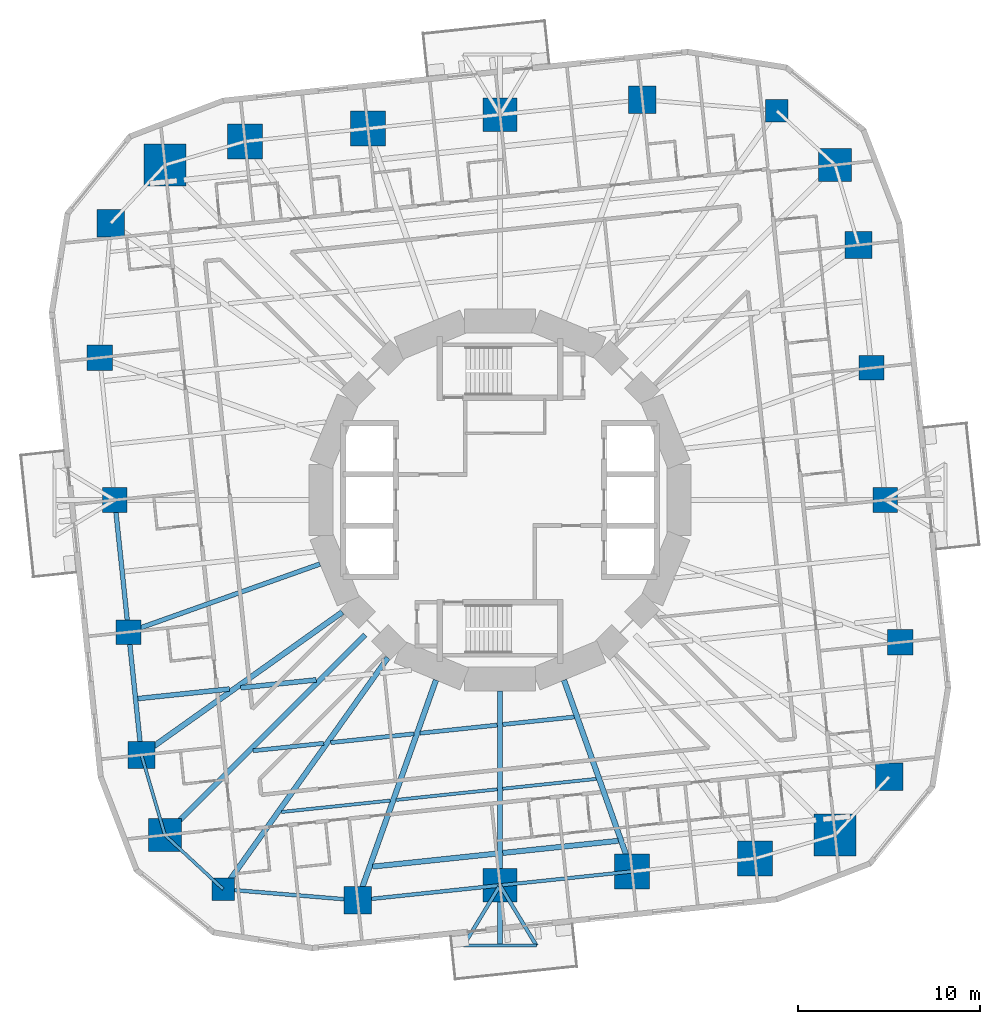
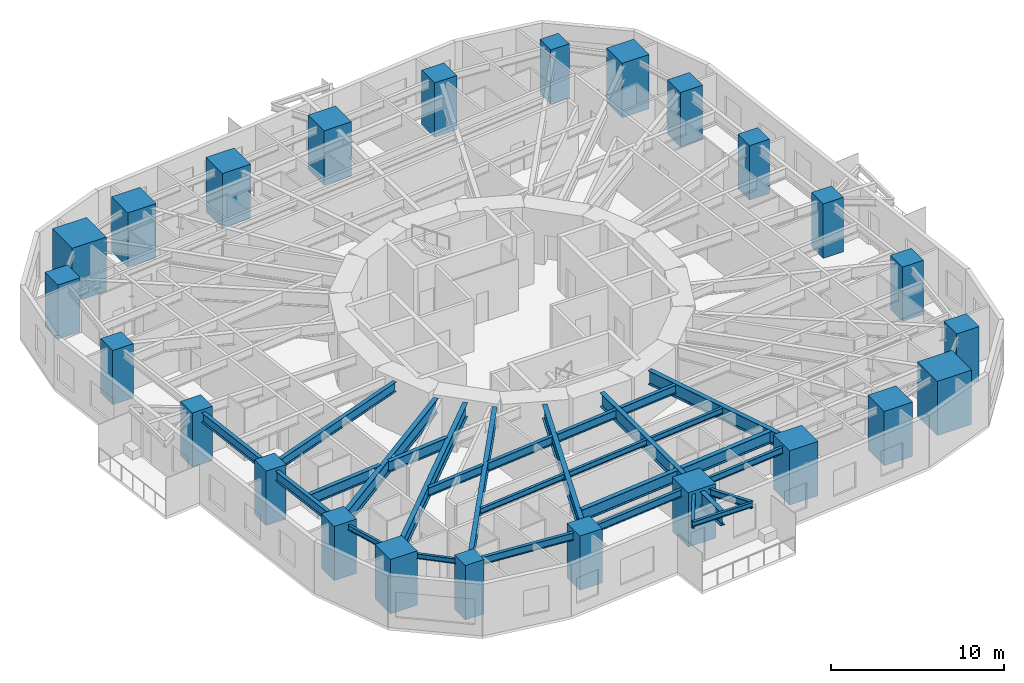
# One storey, part 1 of 13: 28 beams, 24 columns.
"""IFC4 building model written with IfcOpenShell, lengths in metres."""

from ifc_helpers import new_model, si_unit, direction, frame, origin, origin_2d, place, context, subcontext, project, spatial, rectangle, i_section, extrude, material, material_profile, profile_set, type_object, element, save


model = new_model("IFC4")

# Units and contexts
model_context = context("Model", 3, precision=1e-05, world=origin(), true_north=direction((0.0, 1.0)))
body_context = subcontext(model_context, "Body", "Model", "MODEL_VIEW")
ifc_project = project(units=[si_unit("LENGTHUNIT", "METRE"), si_unit("AREAUNIT", "SQUARE_METRE"), si_unit("VOLUMEUNIT", "CUBIC_METRE"), si_unit("PLANEANGLEUNIT", "RADIAN"), si_unit("MASSUNIT", "GRAM", prefix="KILO")], contexts=[model_context])

# Site, building, storey
site_placement = place(None, origin())
site = spatial("IfcSite", under=ifc_project, at=site_placement, CompositionType="ELEMENT")
building_placement = place(site_placement, origin())
building = spatial("IfcBuilding", under=site, at=building_placement, Name="Nakasero Lantern House", CompositionType="ELEMENT")
storey_placement = place(building_placement, frame((0.0, 0.0, 83.60009765625)))
storey = spatial("IfcBuildingStorey", under=building, at=storey_placement, Name="L20", CompositionType="ELEMENT", Elevation=83.60009765625)

# Columns
ifc_material_1 = material(Name="Concrete C50/60", Category="concrete")
ifc_material_profile_1 = material_profile(ifc_material_1, rectangle(XDim=1.800048828125, YDim=1.800048828125, at=origin_2d()), Name="RC 1800x1800")
ifc_profile_set_1 = profile_set([ifc_material_profile_1], Name="Concrete C50/60")
column_type_1 = type_object("IfcColumnType", Name="Mega column RC 1800x1800 C50/60", PredefinedType="COLUMN", material=ifc_profile_set_1)
for number, where, z_axis, x_axis, name in (
    (1, (18.359375, 18.359375, 0.0), (0.0, 0.0, 1.0), (1.0, 0.0, 0.0), "Column B2-C06 L20"),
    (2, (-18.359375, -18.359375, 0.0), (0.0, 0.0, 1.0), (1.0, 0.0, 0.0), "Column B2-C18 L20"),
):
    element("IfcColumn", number, at=place(storey_placement, frame(where, z_axis=z_axis, x_axis=x_axis)), inside=storey, type_object=column_type_1, Name=name, PredefinedType="COLUMN", context=body_context, shape_type="SweptSolid", body=[
        extrude(rectangle(XDim=1.800048828125, YDim=1.800048828125, at=origin_2d()), origin(), (0.0, 0.0, 1.0), 3.849853515625),
    ])
ifc_material_2 = material(Name="Concrete C50/60", Category="concrete")
ifc_material_profile_2 = material_profile(ifc_material_2, rectangle(XDim=2.300048828125, YDim=2.300048828125, at=origin_2d()), Name="RC 2300x2300")
ifc_profile_set_2 = profile_set([ifc_material_profile_2], Name="Concrete C50/60")
column_type_2 = type_object("IfcColumnType", Name="Mega column RC 2300x2300 C50/60", PredefinedType="COLUMN", material=ifc_profile_set_2)
for number, where, z_axis, x_axis, name in (
    (3, (-18.359375, 18.359375, 0.0), (0.0, 0.0, 1.0), (1.0, 0.0, 0.0), "Column B2-C12 L20"),
    (4, (18.359375, -18.359375, 0.0), (0.0, 0.0, 1.0), (1.0, 0.0, 0.0), "Column B2-C24 L20"),
):
    element("IfcColumn", number, at=place(storey_placement, frame(where, z_axis=z_axis, x_axis=x_axis)), inside=storey, type_object=column_type_2, Name=name, PredefinedType="COLUMN", context=body_context, shape_type="SweptSolid", body=[
        extrude(rectangle(XDim=2.300048828125, YDim=2.300048828125, at=origin_2d()), origin(), (0.0, 0.0, 1.0), 3.849853515625),
    ])
ifc_material_3 = material(Name="Concrete C50/60", Category="concrete")
ifc_material_profile_3 = material_profile(ifc_material_3, rectangle(XDim=1.25, YDim=1.25, at=origin_2d()), Name="RC 1250x1250")
ifc_profile_set_3 = profile_set([ifc_material_profile_3], Name="Concrete C50/60")
column_type_3 = type_object("IfcColumnType", Name="Ring column RC 1250x1250 C50/60", PredefinedType="COLUMN", material=ifc_profile_set_3)
for number, where, z_axis, x_axis, name in (
    (5, (15.16650390625, 21.327880859375, 0.0), (0.0, 0.0, 1.0), (1.0, 0.0, 0.0), "Column B2-C07 L20"),
    (6, (-15.16650390625, -21.327880859375, 0.0), (0.0, 0.0, 1.0), (1.0, 0.0, 0.0), "Column B2-C19 L20"),
):
    element("IfcColumn", number, at=place(storey_placement, frame(where, z_axis=z_axis, x_axis=x_axis)), inside=storey, type_object=column_type_3, Name=name, PredefinedType="COLUMN", context=body_context, shape_type="SweptSolid", body=[
        extrude(rectangle(XDim=1.25, YDim=1.25, at=origin_2d()), origin(), (0.0, 0.0, 1.0), 3.849853515625),
    ])
ifc_material_4 = material(Name="Concrete C50/60", Category="concrete")
ifc_material_profile_4 = material_profile(ifc_material_4, rectangle(XDim=1.35009765625, YDim=1.35009765625, at=origin_2d()), Name="RC 1350x1350")
ifc_profile_set_4 = profile_set([ifc_material_profile_4], Name="Concrete C50/60")
column_type_4 = type_object("IfcColumnType", Name="Ring column RC 1350x1350 C50/60", PredefinedType="COLUMN", material=ifc_profile_set_4)
for number, where, z_axis, x_axis, name in (
    (7, (21.11572265625, 0.0, 0.0), (0.0, 0.0, 1.0), (1.0, 0.0, 0.0), "Column B2-C03 L20"),
    (8, (20.35498046875, 7.2373046875, 0.0), (0.0, 0.0, 1.0), (1.0, 0.0, 0.0), "Column B2-C04 L20"),
    (9, (-21.11572265625, 0.0, 0.0), (0.0, 0.0, 1.0), (1.0, 0.0, 0.0), "Column B2-C15 L20"),
    (10, (-20.35498046875, -7.2373046875, 0.0), (0.0, 0.0, 1.0), (1.0, 0.0, 0.0), "Column B2-C16 L20"),
):
    element("IfcColumn", number, at=place(storey_placement, frame(where, z_axis=z_axis, x_axis=x_axis)), inside=storey, type_object=column_type_4, Name=name, PredefinedType="COLUMN", context=body_context, shape_type="SweptSolid", body=[
        extrude(rectangle(XDim=1.35009765625, YDim=1.35009765625, at=origin_2d()), origin(), (0.0, 0.0, 1.0), 3.849853515625),
    ])
ifc_material_5 = material(Name="Concrete C50/60", Category="concrete")
ifc_material_profile_5 = material_profile(ifc_material_5, rectangle(XDim=1.39990234375, YDim=1.39990234375, at=origin_2d()), Name="RC 1400x1400")
ifc_profile_set_5 = profile_set([ifc_material_profile_5], Name="Concrete C50/60")
column_type_5 = type_object("IfcColumnType", Name="Ring column RC 1400x1400 C50/60", PredefinedType="COLUMN", material=ifc_profile_set_5)
for number, where, z_axis, x_axis, name in (
    (11, (21.935302734375, -7.79931640625, 0.0), (0.0, 0.0, 1.0), (1.0, 0.0, 0.0), "Column B2-C02 L20"),
    (12, (-21.935302734375, 7.79931640625, 0.0), (0.0, 0.0, 1.0), (1.0, 0.0, 0.0), "Column B2-C14 L20"),
):
    element("IfcColumn", number, at=place(storey_placement, frame(where, z_axis=z_axis, x_axis=x_axis)), inside=storey, type_object=column_type_5, Name=name, PredefinedType="COLUMN", context=body_context, shape_type="SweptSolid", body=[
        extrude(rectangle(XDim=1.39990234375, YDim=1.39990234375, at=origin_2d()), origin(), (0.0, 0.0, 1.0), 3.849853515625),
    ])
ifc_material_6 = material(Name="Concrete C50/60", Category="concrete")
ifc_material_profile_6 = material_profile(ifc_material_6, rectangle(XDim=1.5, YDim=1.5, at=origin_2d()), Name="RC 1500x1500")
ifc_profile_set_6 = profile_set([ifc_material_profile_6], Name="Concrete C50/60")
column_type_6 = type_object("IfcColumnType", Name="Ring column RC 1500x1500 C50/60", PredefinedType="COLUMN", material=ifc_profile_set_6)
for number, where, z_axis, x_axis, name in (
    (13, (21.327880859375, -15.16650390625, 0.0), (0.0, 0.0, 1.0), (1.0, 0.0, 0.0), "Column B2-C01 L20"),
    (14, (19.647216796875, 13.971435546875, 0.0), (0.0, 0.0, 1.0), (1.0, 0.0, 0.0), "Column B2-C05 L20"),
    (15, (7.79931640625, 21.935302734375, 0.0), (0.0, 0.0, 1.0), (1.0, 0.0, 0.0), "Column B2-C08 L20"),
    (16, (-21.327880859375, 15.16650390625, 0.0), (0.0, 0.0, 1.0), (1.0, 0.0, 0.0), "Column B2-C13 L20"),
    (17, (-19.647216796875, -13.971435546875, 0.0), (0.0, 0.0, 1.0), (1.0, 0.0, 0.0), "Column B2-C17 L20"),
    (18, (-7.79931640625, -21.935302734375, 0.0), (0.0, 0.0, 1.0), (1.0, 0.0, 0.0), "Column B2-C20 L20"),
):
    element("IfcColumn", number, at=place(storey_placement, frame(where, z_axis=z_axis, x_axis=x_axis)), inside=storey, type_object=column_type_6, Name=name, PredefinedType="COLUMN", context=body_context, shape_type="SweptSolid", body=[
        extrude(rectangle(XDim=1.5, YDim=1.5, at=origin_2d()), origin(), (0.0, 0.0, 1.0), 3.849853515625),
    ])
ifc_material_7 = material(Name="Concrete C50/60", Category="concrete")
ifc_material_profile_7 = material_profile(ifc_material_7, rectangle(XDim=1.85009765625, YDim=1.85009765625, at=origin_2d()), Name="RC 1850x1850")
ifc_profile_set_7 = profile_set([ifc_material_profile_7], Name="Concrete C50/60")
column_type_7 = type_object("IfcColumnType", Name="Ring column RC 1850x1850 C50/60", PredefinedType="COLUMN", material=ifc_profile_set_7)
for number, where, z_axis, x_axis, name in (
    (19, (0.0, 21.11572265625, 0.0), (0.0, 0.0, 1.0), (1.0, 0.0, 0.0), "Column B2-C09 L20"),
    (20, (0.0, -21.11572265625, 0.0), (0.0, 0.0, 1.0), (1.0, 0.0, 0.0), "Column B2-C21 L20"),
):
    element("IfcColumn", number, at=place(storey_placement, frame(where, z_axis=z_axis, x_axis=x_axis)), inside=storey, type_object=column_type_7, Name=name, PredefinedType="COLUMN", context=body_context, shape_type="SweptSolid", body=[
        extrude(rectangle(XDim=1.85009765625, YDim=1.85009765625, at=origin_2d()), origin(), (0.0, 0.0, 1.0), 3.849853515625),
    ])
ifc_material_8 = material(Name="Concrete C50/60", Category="concrete")
ifc_material_profile_8 = material_profile(ifc_material_8, rectangle(XDim=1.89990234375, YDim=1.89990234375, at=origin_2d()), Name="RC 1900x1900")
ifc_profile_set_8 = profile_set([ifc_material_profile_8], Name="Concrete C50/60")
column_type_8 = type_object("IfcColumnType", Name="Ring column RC 1900x1900 C50/60", PredefinedType="COLUMN", material=ifc_profile_set_8)
for number, where, z_axis, x_axis, name in (
    (21, (-7.2373046875, 20.35498046875, 0.0), (0.0, 0.0, 1.0), (1.0, 0.0, 0.0), "Column B2-C10 L20"),
    (22, (-13.971435546875, 19.647216796875, 0.0), (0.0, 0.0, 1.0), (1.0, 0.0, 0.0), "Column B2-C11 L20"),
    (23, (7.2373046875, -20.35498046875, 0.0), (0.0, 0.0, 1.0), (1.0, 0.0, 0.0), "Column B2-C22 L20"),
    (24, (13.971435546875, -19.647216796875, 0.0), (0.0, 0.0, 1.0), (1.0, 0.0, 0.0), "Column B2-C23 L20"),
):
    element("IfcColumn", number, at=place(storey_placement, frame(where, z_axis=z_axis, x_axis=x_axis)), inside=storey, type_object=column_type_8, Name=name, PredefinedType="COLUMN", context=body_context, shape_type="SweptSolid", body=[
        extrude(rectangle(XDim=1.89990234375, YDim=1.89990234375, at=origin_2d()), origin(), (0.0, 0.0, 1.0), 3.849853515625),
    ])

# Beams
ifc_material_9 = material(Name="Steel S355", Category="steel")
ifc_material_profile_9 = material_profile(ifc_material_9, i_section(OverallWidth=0.199462890625, OverallDepth=0.491943359375, WebThickness=0.01806640625, FlangeThickness=0.031982421875, FilletRadius=0.01025390625, at=origin_2d()), Name="UB 457x191x161")
ifc_profile_set_9 = profile_set([ifc_material_profile_9], Name="Steel S355")
beam_type_1 = type_object("IfcBeamType", Name="Balcony splay beam UB 457x191x161", PredefinedType="BEAM", material=ifc_profile_set_9)
for number, where, z_axis, x_axis, name in (
    (25, (0.0, -21.11572265625, 3.40380859375), (0.518296107317, -0.855201230787, 0.0), (0.855201230787, 0.518296107317, 0.0), "Balcony splay beam L21 B2-C21A"),
    (26, (0.0, -21.11572265625, 3.40380859375), (-0.518296107317, -0.855201230787, 0.0), (0.855201230787, -0.518296107317, 0.0), "Balcony splay beam L21 B2-C21B"),
):
    element("IfcBeam", number, at=place(storey_placement, frame(where, z_axis=z_axis, x_axis=x_axis)), inside=storey, type_object=beam_type_1, Name=name, PredefinedType="BEAM", context=body_context, shape_type="SweptSolid", body=[
        extrude(i_section(OverallWidth=0.199462890625, OverallDepth=0.491943359375, WebThickness=0.01806640625, FlangeThickness=0.031982421875, FilletRadius=0.01025390625, at=origin_2d()), origin(), (0.0, 0.0, 1.0), 3.85888671875),
    ])
ifc_material_10 = material(Name="Steel S355", Category="steel")
ifc_material_profile_10 = material_profile(ifc_material_10, i_section(OverallWidth=0.17138671875, OverallDepth=0.35498046875, WebThickness=0.00732421875, FlangeThickness=0.011474609375, FilletRadius=0.01025390625, at=origin_2d()), Name="UB 356x171x51")
ifc_profile_set_10 = profile_set([ifc_material_profile_10], Name="Steel S355")
beam_type_2 = type_object("IfcBeamType", Name="Balcony tie beam UB 356x171x51", PredefinedType="BEAM", material=ifc_profile_set_10)
beam_1_placement = place(storey_placement, frame((2.0, -24.415771484375, 3.472412109375), z_axis=(-1.0, 0.0, 0.0), x_axis=(0.0, -1.0, 0.0)))
element("IfcBeam", 27, at=beam_1_placement, inside=storey, type_object=beam_type_2, Name="Balcony tie beam L21 B2-C21", PredefinedType="BEAM", context=body_context, shape_type="SweptSolid", body=[
    extrude(i_section(OverallWidth=0.17138671875, OverallDepth=0.35498046875, WebThickness=0.00732421875, FlangeThickness=0.011474609375, FilletRadius=0.01025390625, at=origin_2d()), origin(), (0.0, 0.0, 1.0), 4.0),
])
ifc_material_11 = material(Name="Steel S355", Category="steel")
ifc_material_profile_11 = material_profile(ifc_material_11, i_section(OverallWidth=0.177978515625, OverallDepth=0.406494140625, WebThickness=0.0078125, FlangeThickness=0.0126953125, FilletRadius=0.01025390625, at=origin_2d()), Name="UB 406x178x60")
ifc_profile_set_11 = profile_set([ifc_material_profile_11], Name="Steel S355")
beam_type_3 = type_object("IfcBeamType", Name="Infill beam UB 406x178x60", PredefinedType="JOIST", material=ifc_profile_set_11)
beam_2_placement = place(storey_placement, frame((-11.9775390625, -17.095703125, 3.44677734375), z_axis=(0.994521729164, 0.104530044579, 0.0), x_axis=(-0.104530044579, 0.994521729164, 0.0)))
element("IfcBeam", 28, at=beam_2_placement, inside=storey, type_object=beam_type_3, Name="Infill beam L21 03.1", PredefinedType="JOIST", context=body_context, shape_type="SweptSolid", body=[
    extrude(i_section(OverallWidth=0.177978515625, OverallDepth=0.406494140625, WebThickness=0.0078125, FlangeThickness=0.0126953125, FilletRadius=0.01025390625, at=origin_2d()), origin(), (0.0, 0.0, 1.0), 5.99560546875),
])
beam_3_placement = place(storey_placement, frame((-5.68408203125, -16.43408203125, 3.44677734375), z_axis=(0.994524188375, 0.104506644464, 0.0), x_axis=(-0.104506644464, 0.994524188375, 0.0)))
element("IfcBeam", 29, at=beam_3_placement, inside=storey, type_object=beam_type_3, Name="Infill beam L21 03.2", PredefinedType="JOIST", context=body_context, shape_type="SweptSolid", body=[
    extrude(i_section(OverallWidth=0.177978515625, OverallDepth=0.406494140625, WebThickness=0.0078125, FlangeThickness=0.0126953125, FilletRadius=0.01025390625, at=origin_2d()), origin(), (0.0, 0.0, 1.0), 5.564697265625),
])
beam_4_placement = place(storey_placement, frame((0.14990234375, -15.821044921875, 3.44677734375), z_axis=(0.994522574566, 0.104522000929, 0.0), x_axis=(-0.104522000929, 0.994522574566, 0.0)))
element("IfcBeam", 30, at=beam_4_placement, inside=storey, type_object=beam_type_3, Name="Infill beam L21 03.3", PredefinedType="JOIST", context=body_context, shape_type="SweptSolid", body=[
    extrude(i_section(OverallWidth=0.177978515625, OverallDepth=0.406494140625, WebThickness=0.0078125, FlangeThickness=0.0126953125, FilletRadius=0.01025390625, at=origin_2d()), origin(), (0.0, 0.0, 1.0), 5.15283203125),
])
ifc_material_12 = material(Name="Steel S355", Category="steel")
ifc_material_profile_12 = material_profile(ifc_material_12, i_section(OverallWidth=0.22900390625, OverallDepth=0.6123046875, WebThickness=0.011962890625, FlangeThickness=0.01953125, FilletRadius=0.0126953125, at=origin_2d()), Name="UB 610x229x125")
ifc_profile_set_12 = profile_set([ifc_material_profile_12], Name="Steel S355")
beam_type_4 = type_object("IfcBeamType", Name="Infill beam UB 610x229x125", PredefinedType="JOIST", material=ifc_profile_set_12)
beam_5_placement = place(storey_placement, frame((-13.527099609375, -13.7392578125, 3.34375), z_axis=(0.99451886442, 0.10455729679, 0.0), x_axis=(-0.10455729679, 0.99451886442, 0.0)))
element("IfcBeam", 31, at=beam_5_placement, inside=storey, type_object=beam_type_4, Name="Infill beam L21 04.1", PredefinedType="JOIST", context=body_context, shape_type="SweptSolid", body=[
    extrude(i_section(OverallWidth=0.22900390625, OverallDepth=0.6123046875, WebThickness=0.011962890625, FlangeThickness=0.01953125, FilletRadius=0.0126953125, at=origin_2d()), origin(), (0.0, 0.0, 1.0), 3.8876953125),
])
beam_6_placement = place(storey_placement, frame((-9.272705078125, -13.2919921875, 3.34375), z_axis=(0.994522952874, 0.104518401282, 0.0), x_axis=(-0.104518401282, 0.994522952874, 0.0)))
element("IfcBeam", 32, at=beam_6_placement, inside=storey, type_object=beam_type_4, Name="Infill beam L21 04.2", PredefinedType="JOIST", context=body_context, shape_type="SweptSolid", body=[
    extrude(i_section(OverallWidth=0.22900390625, OverallDepth=0.6123046875, WebThickness=0.011962890625, FlangeThickness=0.01953125, FilletRadius=0.0126953125, at=origin_2d()), origin(), (0.0, 0.0, 1.0), 4.5830078125),
])
beam_7_placement = place(storey_placement, frame((-4.38427734375, -12.7783203125, 3.34375), z_axis=(0.994521465317, 0.104532554847, 0.0), x_axis=(-0.104532554847, 0.994521465317, 0.0)))
element("IfcBeam", 33, at=beam_7_placement, inside=storey, type_object=beam_type_4, Name="Infill beam L21 04.3", PredefinedType="JOIST", context=body_context, shape_type="SweptSolid", body=[
    extrude(i_section(OverallWidth=0.22900390625, OverallDepth=0.6123046875, WebThickness=0.011962890625, FlangeThickness=0.01953125, FilletRadius=0.0126953125, at=origin_2d()), origin(), (0.0, 0.0, 1.0), 4.2578125),
])
beam_8_placement = place(storey_placement, frame((0.14990234375, -12.3017578125, 3.34375), z_axis=(0.994521399206, 0.104533183829, 0.0), x_axis=(-0.104533183829, 0.994521399206, 0.0)))
element("IfcBeam", 34, at=beam_8_placement, inside=storey, type_object=beam_type_4, Name="Infill beam L21 04.4", PredefinedType="JOIST", context=body_context, shape_type="SweptSolid", body=[
    extrude(i_section(OverallWidth=0.22900390625, OverallDepth=0.6123046875, WebThickness=0.011962890625, FlangeThickness=0.01953125, FilletRadius=0.0126953125, at=origin_2d()), origin(), (0.0, 0.0, 1.0), 3.93994140625),
])
ifc_material_13 = material(Name="Steel S355", Category="steel")
ifc_material_profile_13 = material_profile(ifc_material_13, i_section(OverallWidth=0.2666015625, OverallDepth=0.76220703125, WebThickness=0.014404296875, FlangeThickness=0.021484375, FilletRadius=0.0166015625, at=origin_2d()), Name="UB 762x267x173")
ifc_profile_set_13 = profile_set([ifc_material_profile_13], Name="Steel S355")
beam_type_5 = type_object("IfcBeamType", Name="Infill beam UB 762x267x173", PredefinedType="JOIST", material=ifc_profile_set_13)
beam_9_placement = place(storey_placement, frame((-19.843017578125, -10.8837890625, 3.268798828125), z_axis=(0.994522938326, 0.104518539716, 0.0), x_axis=(-0.104518539716, 0.994522938326, 0.0)))
element("IfcBeam", 35, at=beam_9_placement, inside=storey, type_object=beam_type_5, Name="Infill beam L21 05.1", PredefinedType="JOIST", context=body_context, shape_type="SweptSolid", body=[
    extrude(i_section(OverallWidth=0.2666015625, OverallDepth=0.76220703125, WebThickness=0.014404296875, FlangeThickness=0.021484375, FilletRadius=0.0166015625, at=origin_2d()), origin(), (0.0, 0.0, 1.0), 5.04541015625),
])
beam_10_placement = place(storey_placement, frame((-14.211669921875, -10.2919921875, 3.268798828125), z_axis=(0.994519573184, 0.104550555012, 0.0), x_axis=(-0.104550555012, 0.994519573184, 0.0)))
element("IfcBeam", 36, at=beam_10_placement, inside=storey, type_object=beam_type_5, Name="Infill beam L21 05.2", PredefinedType="JOIST", context=body_context, shape_type="SweptSolid", body=[
    extrude(i_section(OverallWidth=0.2666015625, OverallDepth=0.76220703125, WebThickness=0.014404296875, FlangeThickness=0.021484375, FilletRadius=0.0166015625, at=origin_2d()), origin(), (0.0, 0.0, 1.0), 4.166015625),
])
ifc_material_14 = material(Name="Steel S355", Category="steel")
ifc_material_profile_14 = material_profile(ifc_material_14, i_section(OverallWidth=0.29248046875, OverallDepth=0.8408203125, WebThickness=0.0146484375, FlangeThickness=0.02685546875, FilletRadius=0.017822265625, at=origin_2d()), Name="UB 838x292x194")
ifc_profile_set_14 = profile_set([ifc_material_profile_14], Name="Steel S355")
beam_type_6 = type_object("IfcBeamType", Name="Infill beam UB 838x292x194", PredefinedType="JOIST", material=ifc_profile_set_14)
beam_11_placement = place(storey_placement, frame((-6.98388671875, -20.090087890625, 3.2294921875), z_axis=(0.994522182542, 0.10452573096, 0.0), x_axis=(-0.10452573096, 0.994522182542, 0.0)))
element("IfcBeam", 37, at=beam_11_placement, inside=storey, type_object=beam_type_6, Name="Infill beam L21 02.1", PredefinedType="JOIST", context=body_context, shape_type="SweptSolid", body=[
    extrude(i_section(OverallWidth=0.29248046875, OverallDepth=0.8408203125, WebThickness=0.0146484375, FlangeThickness=0.02685546875, FilletRadius=0.017822265625, at=origin_2d()), origin(), (0.0, 0.0, 1.0), 6.87158203125),
])
beam_12_placement = place(storey_placement, frame((0.14990234375, -19.34033203125, 3.2294921875), z_axis=(0.994519733917, 0.104549026056, 0.0), x_axis=(-0.104549026056, 0.994519733917, 0.0)))
element("IfcBeam", 38, at=beam_12_placement, inside=storey, type_object=beam_type_6, Name="Infill beam L21 02.2", PredefinedType="JOIST", context=body_context, shape_type="SweptSolid", body=[
    extrude(i_section(OverallWidth=0.29248046875, OverallDepth=0.8408203125, WebThickness=0.0146484375, FlangeThickness=0.02685546875, FilletRadius=0.017822265625, at=origin_2d()), origin(), (0.0, 0.0, 1.0), 6.36572265625),
])
ifc_material_15 = material(Name="Steel S355", Category="steel")
ifc_material_profile_15 = material_profile(ifc_material_15, i_section(OverallWidth=0.300048828125, OverallDepth=0.97998046875, WebThickness=0.0166015625, FlangeThickness=0.02587890625, FilletRadius=0.030029296875, at=origin_2d()), Name="UB 1016x305x249")
ifc_profile_set_15 = profile_set([ifc_material_profile_15], Name="Steel S355")
beam_type_7 = type_object("IfcBeamType", Name="Primary beam UB 1016x305x249, span 12 to 15 m", PredefinedType="BEAM", material=ifc_profile_set_15)
beam_13_placement = place(storey_placement, frame((-7.79931640625, -21.935302734375, 3.159912109375), z_axis=(0.335017564047, 0.942211882636, 0.0), x_axis=(-0.942211882636, 0.335017564047, 0.0)))
element("IfcBeam", 39, at=beam_13_placement, inside=storey, type_object=beam_type_7, Name="Primary beam L21 B2-C20", PredefinedType="BEAM", context=body_context, shape_type="SweptSolid", body=[
    extrude(i_section(OverallWidth=0.300048828125, OverallDepth=0.97998046875, WebThickness=0.0166015625, FlangeThickness=0.02587890625, FilletRadius=0.030029296875, at=origin_2d()), origin(), (0.0, 0.0, 1.0), 12.80908203125),
])
ifc_material_16 = material(Name="Steel S355", Category="steel")
ifc_material_profile_16 = material_profile(ifc_material_16, i_section(OverallWidth=0.300048828125, OverallDepth=0.97998046875, WebThickness=0.0166015625, FlangeThickness=0.02587890625, FilletRadius=0.030029296875, at=origin_2d()), Name="UB 1016x305x249")
ifc_profile_set_16 = profile_set([ifc_material_profile_16], Name="Steel S355")
beam_type_8 = type_object("IfcBeamType", Name="Primary beam UB 1016x305x249, span 9 to 12 m", PredefinedType="BEAM", material=ifc_profile_set_16)
beam_14_placement = place(storey_placement, frame((7.2373046875, -20.35498046875, 3.159912109375), z_axis=(-0.335009234979, 0.942214844119, 0.0), x_axis=(-0.942214844119, -0.335009234979, 0.0)))
element("IfcBeam", 40, at=beam_14_placement, inside=storey, type_object=beam_type_8, Name="Primary beam L21 B2-C22", PredefinedType="BEAM", context=body_context, shape_type="SweptSolid", body=[
    extrude(i_section(OverallWidth=0.300048828125, OverallDepth=0.97998046875, WebThickness=0.0166015625, FlangeThickness=0.02587890625, FilletRadius=0.030029296875, at=origin_2d()), origin(), (0.0, 0.0, 1.0), 11.1318359375),
])
ifc_material_17 = material(Name="Steel S355", Category="steel")
ifc_material_profile_17 = material_profile(ifc_material_17, i_section(OverallWidth=0.300048828125, OverallDepth=0.989990234375, WebThickness=0.0166015625, FlangeThickness=0.031005859375, FilletRadius=0.030029296875, at=origin_2d()), Name="UB 1016x305x272")
ifc_profile_set_17 = profile_set([ifc_material_profile_17], Name="Steel S355")
beam_type_9 = type_object("IfcBeamType", Name="Primary beam UB 1016x305x272, span over 15 m", PredefinedType="BEAM", material=ifc_profile_set_17)
beam_15_placement = place(storey_placement, frame((-18.359375, -18.359375, 3.15478515625), z_axis=(0.707106781187, 0.707106781187, 0.0), x_axis=(-0.707106781187, 0.707106781187, 0.0)))
element("IfcBeam", 41, at=beam_15_placement, inside=storey, type_object=beam_type_9, Name="Primary beam L21 B2-C18", PredefinedType="BEAM", context=body_context, shape_type="SweptSolid", body=[
    extrude(i_section(OverallWidth=0.300048828125, OverallDepth=0.989990234375, WebThickness=0.0166015625, FlangeThickness=0.031005859375, FilletRadius=0.030029296875, at=origin_2d()), origin(), (0.0, 0.0, 1.0), 15.50634765625),
])
ifc_material_18 = material(Name="Steel S355", Category="steel")
ifc_material_profile_18 = material_profile(ifc_material_18, i_section(OverallWidth=0.300048828125, OverallDepth=1.0, WebThickness=0.01904296875, FlangeThickness=0.035888671875, FilletRadius=0.030029296875, at=origin_2d()), Name="UB 1016x305x314")
ifc_profile_set_18 = profile_set([ifc_material_profile_18], Name="Steel S355")
beam_type_10 = type_object("IfcBeamType", Name="Primary beam UB 1016x305x314, span 9 to 12 m", PredefinedType="BEAM", material=ifc_profile_set_18)
beam_16_placement = place(storey_placement, frame((0.0, -24.415771484375, 3.14990234375), z_axis=(0.0, 1.0, 0.0), x_axis=(-1.0, 0.0, 0.0)))
element("IfcBeam", 42, at=beam_16_placement, inside=storey, type_object=beam_type_10, Name="Primary beam L21 B2-C21", PredefinedType="BEAM", context=body_context, shape_type="SweptSolid", body=[
    extrude(i_section(OverallWidth=0.300048828125, OverallDepth=1.0, WebThickness=0.01904296875, FlangeThickness=0.035888671875, FilletRadius=0.030029296875, at=origin_2d()), origin(), (0.0, 0.0, 1.0), 13.9580078125),
])
ifc_material_19 = material(Name="Steel S355", Category="steel")
ifc_material_profile_19 = material_profile(ifc_material_19, i_section(OverallWidth=0.302978515625, OverallDepth=1.015869140625, WebThickness=0.0244140625, FlangeThickness=0.0439453125, FilletRadius=0.030029296875, at=origin_2d()), Name="UB 1016x305x393")
ifc_profile_set_19 = profile_set([ifc_material_profile_19], Name="Steel S355")
beam_type_11 = type_object("IfcBeamType", Name="Primary beam UB 1016x305x393, span 12 to 15 m", PredefinedType="BEAM", material=ifc_profile_set_19)
beam_17_placement = place(storey_placement, frame((-19.647216796875, -13.971435546875, 3.141845703125), z_axis=(0.814948492976, 0.579533393168, 0.0), x_axis=(-0.579533393168, 0.814948492976, 0.0)))
element("IfcBeam", 43, at=beam_17_placement, inside=storey, type_object=beam_type_11, Name="Primary beam L21 B2-C17", PredefinedType="BEAM", context=body_context, shape_type="SweptSolid", body=[
    extrude(i_section(OverallWidth=0.302978515625, OverallDepth=1.015869140625, WebThickness=0.0244140625, FlangeThickness=0.0439453125, FilletRadius=0.030029296875, at=origin_2d()), origin(), (0.0, 0.0, 1.0), 13.502685546875),
])
ifc_material_20 = material(Name="Steel S355", Category="steel")
ifc_material_profile_20 = material_profile(ifc_material_20, i_section(OverallWidth=0.253662109375, OverallDepth=0.68359375, WebThickness=0.012451171875, FlangeThickness=0.01904296875, FilletRadius=0.01513671875, at=origin_2d()), Name="UB 686x254x140")
ifc_profile_set_20 = profile_set([ifc_material_profile_20], Name="Steel S355")
beam_type_12 = type_object("IfcBeamType", Name="Primary beam UB 686x254x140, span 9 to 12 m", PredefinedType="BEAM", material=ifc_profile_set_20)
beam_18_placement = place(storey_placement, frame((-20.35498046875, -7.2373046875, 3.30810546875), z_axis=(0.942214844119, 0.335009234979, 0.0), x_axis=(-0.335009234979, 0.942214844119, 0.0)))
element("IfcBeam", 44, at=beam_18_placement, inside=storey, type_object=beam_type_12, Name="Primary beam L21 B2-C16", PredefinedType="BEAM", context=body_context, shape_type="SweptSolid", body=[
    extrude(i_section(OverallWidth=0.253662109375, OverallDepth=0.68359375, WebThickness=0.012451171875, FlangeThickness=0.01904296875, FilletRadius=0.01513671875, at=origin_2d()), origin(), (0.0, 0.0, 1.0), 11.1318359375),
])
ifc_material_21 = material(Name="Steel S355", Category="steel")
ifc_material_profile_21 = material_profile(ifc_material_21, i_section(OverallWidth=0.29248046875, OverallDepth=0.8408203125, WebThickness=0.0146484375, FlangeThickness=0.02685546875, FilletRadius=0.017822265625, at=origin_2d()), Name="UB 838x292x194")
ifc_profile_set_21 = profile_set([ifc_material_profile_21], Name="Steel S355")
beam_type_13 = type_object("IfcBeamType", Name="Primary beam UB 838x292x194, span over 15 m", PredefinedType="BEAM", material=ifc_profile_set_21)
beam_19_placement = place(storey_placement, frame((-15.16650390625, -21.327880859375, 3.2294921875), z_axis=(0.57952911085, 0.814951538239, 0.0), x_axis=(-0.814951538239, 0.57952911085, 0.0)))
element("IfcBeam", 45, at=beam_19_placement, inside=storey, type_object=beam_type_13, Name="Primary beam L21 B2-C19", PredefinedType="BEAM", context=body_context, shape_type="SweptSolid", body=[
    extrude(i_section(OverallWidth=0.29248046875, OverallDepth=0.8408203125, WebThickness=0.0146484375, FlangeThickness=0.02685546875, FilletRadius=0.017822265625, at=origin_2d()), origin(), (0.0, 0.0, 1.0), 15.564697265625),
])
ifc_material_22 = material(Name="Steel S355", Category="steel")
ifc_material_profile_22 = material_profile(ifc_material_22, i_section(OverallWidth=0.17138671875, OverallDepth=0.35498046875, WebThickness=0.00732421875, FlangeThickness=0.011474609375, FilletRadius=0.01025390625, at=origin_2d()), Name="UB 356x171x51")
ifc_profile_set_22 = profile_set([ifc_material_profile_22], Name="Steel S355")
beam_type_14 = type_object("IfcBeamType", Name="Ring beam UB 356x171x51", PredefinedType="BEAM", material=ifc_profile_set_22)
beam_20_placement = place(storey_placement, frame((-19.647216796875, -13.971435546875, 3.472412109375), z_axis=(0.28161710443, -0.959526865957, 0.0), x_axis=(0.959526865957, 0.28161710443, 0.0)))
element("IfcBeam", 46, at=beam_20_placement, inside=storey, type_object=beam_type_14, Name="Ring beam L21 B2-C17", PredefinedType="BEAM", context=body_context, shape_type="SweptSolid", body=[
    extrude(i_section(OverallWidth=0.17138671875, OverallDepth=0.35498046875, WebThickness=0.00732421875, FlangeThickness=0.011474609375, FilletRadius=0.01025390625, at=origin_2d()), origin(), (0.0, 0.0, 1.0), 4.572998046875),
])
beam_21_placement = place(storey_placement, frame((-18.359375, -18.359375, 3.472412109375), z_axis=(0.732370510336, -0.680906333933, 0.0), x_axis=(0.680906333933, 0.732370510336, 0.0)))
element("IfcBeam", 47, at=beam_21_placement, inside=storey, type_object=beam_type_14, Name="Ring beam L21 B2-C18", PredefinedType="BEAM", context=body_context, shape_type="SweptSolid", body=[
    extrude(i_section(OverallWidth=0.17138671875, OverallDepth=0.35498046875, WebThickness=0.00732421875, FlangeThickness=0.011474609375, FilletRadius=0.01025390625, at=origin_2d()), origin(), (0.0, 0.0, 1.0), 4.359619140625),
])
ifc_material_23 = material(Name="Steel S355", Category="steel")
ifc_material_profile_23 = material_profile(ifc_material_23, i_section(OverallWidth=0.19140625, OverallDepth=0.4599609375, WebThickness=0.010009765625, FlangeThickness=0.01611328125, FilletRadius=0.01025390625, at=origin_2d()), Name="UB 457x191x82")
ifc_profile_set_23 = profile_set([ifc_material_profile_23], Name="Steel S355")
beam_type_15 = type_object("IfcBeamType", Name="Ring beam UB 457x191x82", PredefinedType="BEAM", material=ifc_profile_set_23)
beam_22_placement = place(storey_placement, frame((0.0, -21.11572265625, 3.419921875), z_axis=(0.994520883746, 0.104538087767, 0.0), x_axis=(-0.104538087767, 0.994520883746, 0.0)))
element("IfcBeam", 48, at=beam_22_placement, inside=storey, type_object=beam_type_15, Name="Ring beam L21 B2-C21", PredefinedType="BEAM", context=body_context, shape_type="SweptSolid", body=[
    extrude(i_section(OverallWidth=0.19140625, OverallDepth=0.4599609375, WebThickness=0.010009765625, FlangeThickness=0.01611328125, FilletRadius=0.01025390625, at=origin_2d()), origin(), (0.0, 0.0, 1.0), 7.277099609375),
])
ifc_material_24 = material(Name="Steel S355", Category="steel")
ifc_material_profile_24 = material_profile(ifc_material_24, i_section(OverallWidth=0.208740234375, OverallDepth=0.5283203125, WebThickness=0.009521484375, FlangeThickness=0.01318359375, FilletRadius=0.0126953125, at=origin_2d()), Name="UB 533x210x82")
ifc_profile_set_24 = profile_set([ifc_material_profile_24], Name="Steel S355")
beam_type_16 = type_object("IfcBeamType", Name="Ring beam UB 533x210x82", PredefinedType="BEAM", material=ifc_profile_set_24)
beam_23_placement = place(storey_placement, frame((-15.16650390625, -21.327880859375, 3.3857421875), z_axis=(0.996618261264, -0.08217080574, 0.0), x_axis=(0.08217080574, 0.996618261264, 0.0)))
element("IfcBeam", 49, at=beam_23_placement, inside=storey, type_object=beam_type_16, Name="Ring beam L21 B2-C19", PredefinedType="BEAM", context=body_context, shape_type="SweptSolid", body=[
    extrude(i_section(OverallWidth=0.208740234375, OverallDepth=0.5283203125, WebThickness=0.009521484375, FlangeThickness=0.01318359375, FilletRadius=0.0126953125, at=origin_2d()), origin(), (0.0, 0.0, 1.0), 7.39208984375),
])
beam_24_placement = place(storey_placement, frame((-7.79931640625, -21.935302734375, 3.3857421875), z_axis=(0.994524030789, 0.104508144098, 0.0), x_axis=(-0.104508144098, 0.994524030789, 0.0)))
element("IfcBeam", 50, at=beam_24_placement, inside=storey, type_object=beam_type_16, Name="Ring beam L21 B2-C20", PredefinedType="BEAM", context=body_context, shape_type="SweptSolid", body=[
    extrude(i_section(OverallWidth=0.208740234375, OverallDepth=0.5283203125, WebThickness=0.009521484375, FlangeThickness=0.01318359375, FilletRadius=0.0126953125, at=origin_2d()), origin(), (0.0, 0.0, 1.0), 7.84228515625),
])
ifc_material_25 = material(Name="Steel S355", Category="steel")
ifc_material_profile_25 = material_profile(ifc_material_25, i_section(OverallWidth=0.253662109375, OverallDepth=0.68359375, WebThickness=0.012451171875, FlangeThickness=0.01904296875, FilletRadius=0.01513671875, at=origin_2d()), Name="UB 686x254x140")
ifc_profile_set_25 = profile_set([ifc_material_profile_25], Name="Steel S355")
beam_type_17 = type_object("IfcBeamType", Name="Ring beam UB 686x254x140", PredefinedType="BEAM", material=ifc_profile_set_25)
beam_25_placement = place(storey_placement, frame((-21.11572265625, 0.0, 3.30810546875), z_axis=(0.104538087767, -0.994520883746, 0.0), x_axis=(0.994520883746, 0.104538087767, 0.0)))
element("IfcBeam", 51, at=beam_25_placement, inside=storey, type_object=beam_type_17, Name="Ring beam L21 B2-C15", PredefinedType="BEAM", context=body_context, shape_type="SweptSolid", body=[
    extrude(i_section(OverallWidth=0.253662109375, OverallDepth=0.68359375, WebThickness=0.012451171875, FlangeThickness=0.01904296875, FilletRadius=0.01513671875, at=origin_2d()), origin(), (0.0, 0.0, 1.0), 7.277099609375),
])
ifc_material_26 = material(Name="Steel S355", Category="steel")
ifc_material_profile_26 = material_profile(ifc_material_26, i_section(OverallWidth=0.255859375, OverallDepth=0.69287109375, WebThickness=0.014404296875, FlangeThickness=0.023681640625, FilletRadius=0.01513671875, at=origin_2d()), Name="UB 686x254x170")
ifc_profile_set_26 = profile_set([ifc_material_profile_26], Name="Steel S355")
beam_type_18 = type_object("IfcBeamType", Name="Ring beam UB 686x254x170", PredefinedType="BEAM", material=ifc_profile_set_26)
beam_26_placement = place(storey_placement, frame((-20.35498046875, -7.2373046875, 3.303466796875), z_axis=(0.10452524939, -0.994522233155, 0.0), x_axis=(0.994522233155, 0.10452524939, 0.0)))
element("IfcBeam", 52, at=beam_26_placement, inside=storey, type_object=beam_type_18, Name="Ring beam L21 B2-C16", PredefinedType="BEAM", context=body_context, shape_type="SweptSolid", body=[
    extrude(i_section(OverallWidth=0.255859375, OverallDepth=0.69287109375, WebThickness=0.014404296875, FlangeThickness=0.023681640625, FilletRadius=0.01513671875, at=origin_2d()), origin(), (0.0, 0.0, 1.0), 6.771240234375),
])

save(model, "model.ifc")
